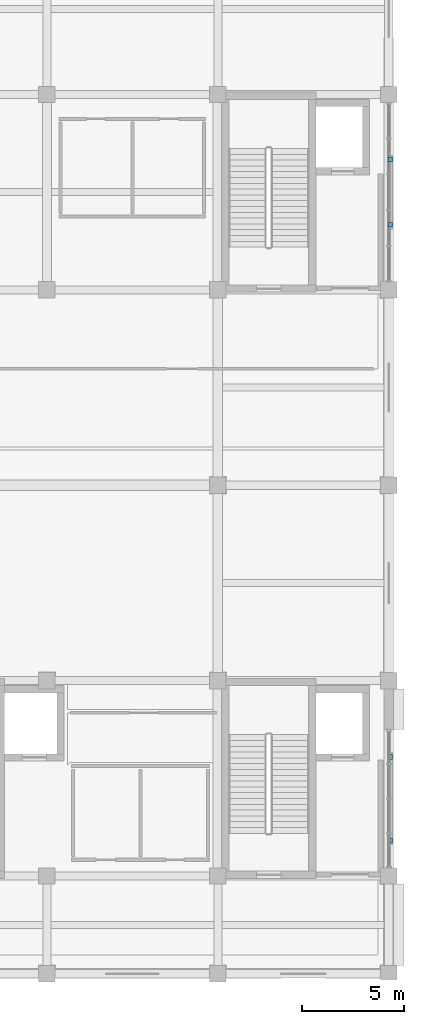
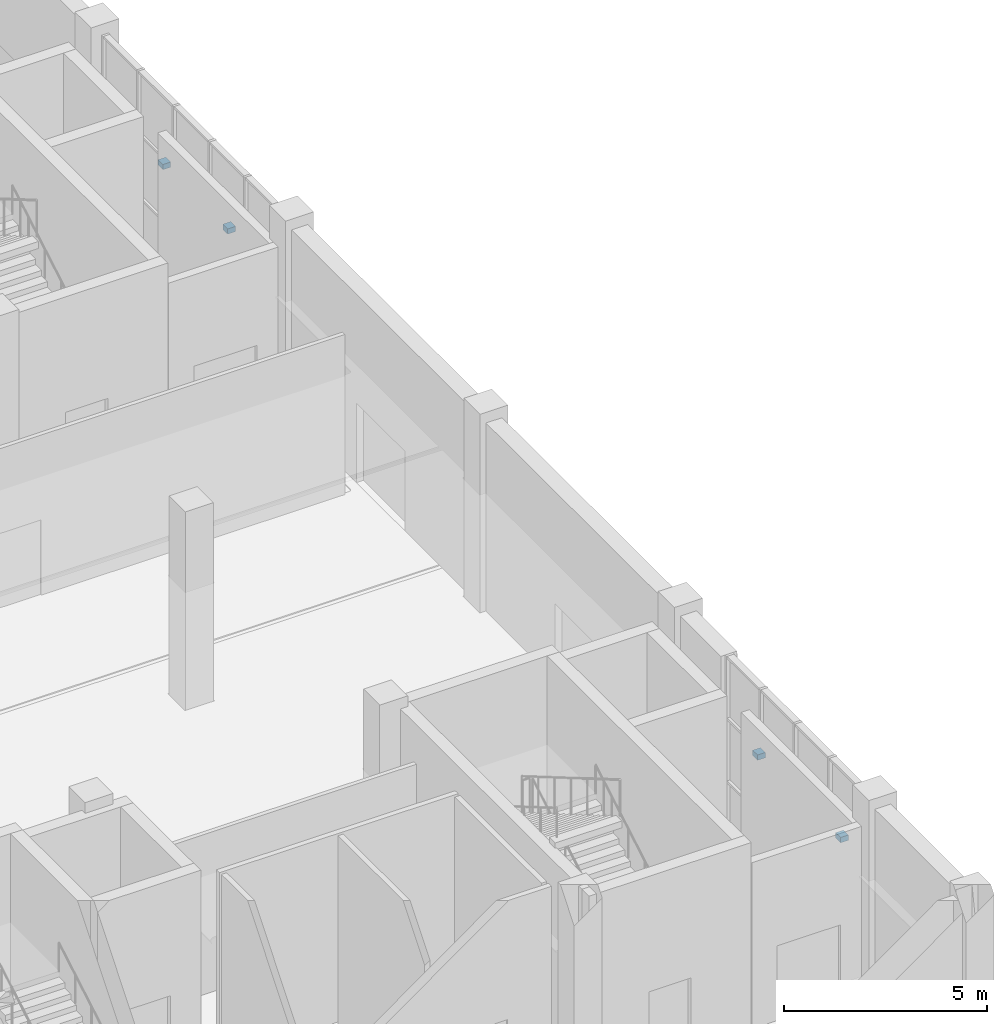
# One storey, part 68 of 84: 4 discrete accessories.
"""IFC4 building model written with IfcOpenShell, lengths in metres."""

import ifcopenshell
import ifcopenshell.guid

model = None  # the IFC model being written
_history = None  # IfcOwnerHistory: only IFC2X3 demands one
_inside = {}  # id of a spatial element -> (the spatial element, [elements in it])
_under = {}  # id of a project, library or spatial element -> (it, [spatial elements below it])
_declared = {}  # id of a project -> (the project, [libraries it declares])
_typed = {}  # id of a type object -> (the type object, [elements of that type])
_made_of = {}  # id of a material, layer set ... -> (it, [elements and type objects made of it])


def new_model(schema):
    """Start an empty IFC model of exactly this schema.

    Asked for "IFC4X3", IfcOpenShell would pick the latest addendum, in which some entities
    have other attributes; the version numbers below select the first issue.
    IFC2X3 requires an IfcOwnerHistory on every rooted entity: one is made here for all.
    """
    global model, _history
    if schema == "IFC4X3":
        model = ifcopenshell.file(schema_version=(4, 3, 0, 0))
    else:
        model = ifcopenshell.file(schema=schema)
    _inside.clear()
    _under.clear()
    _declared.clear()
    _typed.clear()
    _made_of.clear()
    _history = None
    if model.schema == "IFC2X3":
        org = make("IfcOrganization", Name="unknown")
        user = make(
            "IfcPersonAndOrganization",
            ThePerson=make("IfcPerson", FamilyName="unknown"),
            TheOrganization=org,
        )
        app = make(
            "IfcApplication",
            ApplicationDeveloper=org,
            Version="unknown",
            ApplicationFullName="unknown",
            ApplicationIdentifier="unknown",
        )
        _history = make(
            "IfcOwnerHistory",
            OwningUser=user,
            OwningApplication=app,
            ChangeAction="ADDED",
            CreationDate=0,
        )
    return model


def make(cls, **values):
    """One entity of the class cls with the attributes given. An attribute that is None is left unset."""
    return model.create_entity(
        cls, **{name: value for name, value in values.items() if value is not None}
    )


def rooted(cls, **values):
    """An entity with a GlobalId (a new one), such as an element, a storey or a relation."""
    return make(cls, GlobalId=ifcopenshell.guid.new(), OwnerHistory=_history, **values)


def si_unit(unit_type, name, prefix=None):
    """IfcSIUnit, for example si_unit("LENGTHUNIT", "METRE", prefix="MILLI")."""
    return make("IfcSIUnit", UnitType=unit_type, Prefix=prefix, Name=name)


def assignment(units):
    """IfcUnitAssignment: the units of a project."""
    return None if units is None else make("IfcUnitAssignment", Units=units)


def point(xyz):
    """IfcCartesianPoint."""
    return None if xyz is None else make("IfcCartesianPoint", Coordinates=xyz)


def direction(xyz):
    """IfcDirection."""
    return None if xyz is None else make("IfcDirection", DirectionRatios=xyz)


def frame(location, z_axis=None, x_axis=None):
    """IfcAxis2Placement3D, a coordinate frame: its origin and axes. An axis left out is left unset."""
    return make(
        "IfcAxis2Placement3D",
        Location=point(location),
        Axis=direction(z_axis),
        RefDirection=direction(x_axis),
    )


def frame_2d(location, x_axis=None):
    """IfcAxis2Placement2D, a coordinate frame in the plane: its origin and x axis."""
    return make(
        "IfcAxis2Placement2D", Location=point(location), RefDirection=direction(x_axis)
    )


def origin():
    """The frame at (0, 0, 0) with its axes left unset."""
    return frame((0.0, 0.0, 0.0))


def origin_2d():
    """The frame at (0, 0) in the plane with its x axis left unset."""
    return frame_2d((0.0, 0.0))


def place(relative_to, where):
    """IfcLocalPlacement: puts the frame where relative to a parent placement (None: the world)."""
    return make(
        "IfcLocalPlacement", PlacementRelTo=relative_to, RelativePlacement=where
    )


def context(
    kind, dimensions, precision=None, world=None, true_north=None, identifier=None
):
    """IfcGeometricRepresentationContext, for example the 3D "Model" context."""
    return make(
        "IfcGeometricRepresentationContext",
        ContextIdentifier=identifier,
        ContextType=kind,
        CoordinateSpaceDimension=dimensions,
        Precision=precision,
        WorldCoordinateSystem=world,
        TrueNorth=true_north,
    )


def subcontext(parent, identifier, kind, view, scale=None):
    """IfcGeometricRepresentationSubContext, for example "Body" below "Model"."""
    return make(
        "IfcGeometricRepresentationSubContext",
        ContextIdentifier=identifier,
        ContextType=kind,
        ParentContext=parent,
        TargetScale=scale,
        TargetView=view,
    )


def project(units=None, contexts=None):
    """IfcProject with its units and contexts."""
    return rooted(
        "IfcProject",
        Name="project",
        RepresentationContexts=contexts,
        UnitsInContext=assignment(units),
    )


def spatial(cls, under=None, at=None, **own):
    """A site, building, storey or space (cls), placed at a placement, below another one or the project."""
    s = rooted(cls, ObjectPlacement=at, **own)
    if under is not None:
        _under.setdefault(under.id(), (under, []))[1].append(s)
    return s


def profile(cls, at=None, kind="AREA", **sizes):
    """A parametric profile (cls). Its sizes go by their IFC names, for example OverallWidth=200.0."""
    return make(cls, ProfileType=kind, Position=at, **sizes)


def rectangle(**sizes):
    """IfcRectangleProfileDef."""
    return profile("IfcRectangleProfileDef", **sizes)


def extrude(swept, where, along, depth):
    """IfcExtrudedAreaSolid: the profile swept, set in the frame where, extruded along a direction by depth."""
    return make(
        "IfcExtrudedAreaSolid",
        SweptArea=swept,
        Position=where,
        ExtrudedDirection=direction(along),
        Depth=depth,
    )


def shape(context_of_items, identifier, shape_type, items):
    """IfcShapeRepresentation: the items that make up one representation, for example the "Body"."""
    return make(
        "IfcShapeRepresentation",
        ContextOfItems=context_of_items,
        RepresentationIdentifier=identifier,
        RepresentationType=shape_type,
        Items=items,
    )


def material(Name=None, Category=None):
    """IfcMaterial."""
    return make("IfcMaterial", Name=Name, Category=Category)


def made_of(thing, what):
    """Note that an element or type object is made of a material, layer set ...; save() writes the relation."""
    if what is not None:
        _made_of.setdefault(what.id(), (what, []))[1].append(thing)
    return thing


def type_object(cls, material=None, **own):
    """A type object (cls), such as IfcWallType, which elements share."""
    return made_of(rooted(cls, **own), material)


def element(
    cls,
    number,
    at=None,
    inside=None,
    cuts=None,
    type_object=None,
    material=None,
    context=None,
    identifier="Body",
    shape_type=None,
    held_by="IfcProductDefinitionShape",
    body=None,
    shapes=None,
    **own,
):
    """One element of the class cls, such as IfcWall. Its Tag is "e" and its number.

    at: its placement. inside: the storey or other place that contains it. cuts: it is an
    opening in that element (IfcRelVoidsElement). A single representation is given by context,
    identifier, shape_type and body (its items); several are given by shapes. held_by: the class
    of the entity that holds the representations. save() writes the other relations.
    """
    e = rooted(cls, Tag="e%d" % number, ObjectPlacement=at, **own)
    if body is not None:
        shapes = [shape(context, identifier, shape_type, body)]
    if shapes is not None:
        e.Representation = make(held_by, Representations=shapes)
    if inside is not None:
        _inside.setdefault(inside.id(), (inside, []))[1].append(e)
    if cuts is not None:
        rooted(
            "IfcRelVoidsElement", RelatingBuildingElement=cuts, RelatedOpeningElement=e
        )
    if type_object is not None:
        _typed.setdefault(type_object.id(), (type_object, []))[1].append(e)
    return made_of(e, material)


def aggregate(whole, parts):
    """IfcRelAggregates: a whole, such as a stair, and the parts it consists of."""
    return rooted("IfcRelAggregates", RelatingObject=whole, RelatedObjects=parts)


def save(model, path):
    """Write the relations noted so far, then the file.

    IfcRelAggregates (storeys below a building ...), IfcRelContainedInSpatialStructure (elements
    in a storey), IfcRelDefinesByType, IfcRelAssociatesMaterial and IfcRelDeclares: one each for
    every whole, place, type object, material and project.
    """
    for whole, parts in _under.values():
        aggregate(whole, parts)
    for where, things in _inside.values():
        rooted(
            "IfcRelContainedInSpatialStructure",
            RelatedElements=things,
            RelatingStructure=where,
        )
    for kind, things in _typed.values():
        rooted("IfcRelDefinesByType", RelatedObjects=things, RelatingType=kind)
    for what, things in _made_of.values():
        rooted("IfcRelAssociatesMaterial", RelatedObjects=things, RelatingMaterial=what)
    for by, libraries in _declared.values():
        rooted("IfcRelDeclares", RelatingContext=by, RelatedDefinitions=libraries)
    model.write(path)


model = new_model("IFC4")

# Units and contexts
model_context = context("Model", 3, precision=1e-05, world=origin(), true_north=direction((0.0, 1.0)))
body_context = subcontext(model_context, "Body", "Model", "MODEL_VIEW")
ifc_project = project(units=[si_unit("LENGTHUNIT", "METRE"), si_unit("AREAUNIT", "SQUARE_METRE"), si_unit("VOLUMEUNIT", "CUBIC_METRE"), si_unit("PLANEANGLEUNIT", "RADIAN"), si_unit("MASSUNIT", "GRAM", prefix="KILO")], contexts=[model_context])

# Site, building, storey
site_placement = place(None, origin())
site = spatial("IfcSite", under=ifc_project, at=site_placement, CompositionType="ELEMENT")
building_placement = place(site_placement, origin())
building = spatial("IfcBuilding", under=site, at=building_placement, Name="Shalvenor Court Art Gallery", CompositionType="ELEMENT")
storey_placement = place(building_placement, origin())
storey = spatial("IfcBuildingStorey", under=building, at=storey_placement, Name="L00", CompositionType="ELEMENT", Elevation=0.0)

# Discrete accessories
ifc_material = material(Name="Stainless steel anchor bracket", Category="steel")
discrete_accessory_type = type_object("IfcDiscreteAccessoryType", Name="BRK-01", PredefinedType="BRACKET", material=ifc_material)
for number, where, z_axis, x_axis, name in (
    (1, (176.471435546875, 85.60009765625, 3.3701171875), (0.0, 0.0, 1.0), (0.0, -1.0, 0.0), "L00 Lattice Anchor Bracket 1"),
    (2, (176.471435546875, 82.39990234375, 3.3701171875), (0.0, 0.0, 1.0), (0.0, -1.0, 0.0), "L00 Lattice Anchor Bracket 2"),
    (3, (176.4765625, 56.25, 3.3701171875), (0.0, 0.0, 1.0), (0.0, -1.0, 0.0), "L00 Lattice Anchor Bracket 3"),
    (4, (176.4765625, 52.14990234375, 3.3701171875), (0.0, 0.0, 1.0), (0.0, -1.0, 0.0), "L00 Lattice Anchor Bracket 4"),
):
    element("IfcDiscreteAccessory", number, at=place(storey_placement, frame(where, z_axis=z_axis, x_axis=x_axis)), inside=storey, type_object=discrete_accessory_type, Name=name, PredefinedType="BRACKET", context=body_context, shape_type="SweptSolid", body=[
        extrude(rectangle(XDim=0.239990234375, YDim=0.219970703125, at=origin_2d()), origin(), (0.0, 0.0, 1.0), 0.159912109375),
    ])

save(model, "model.ifc")
